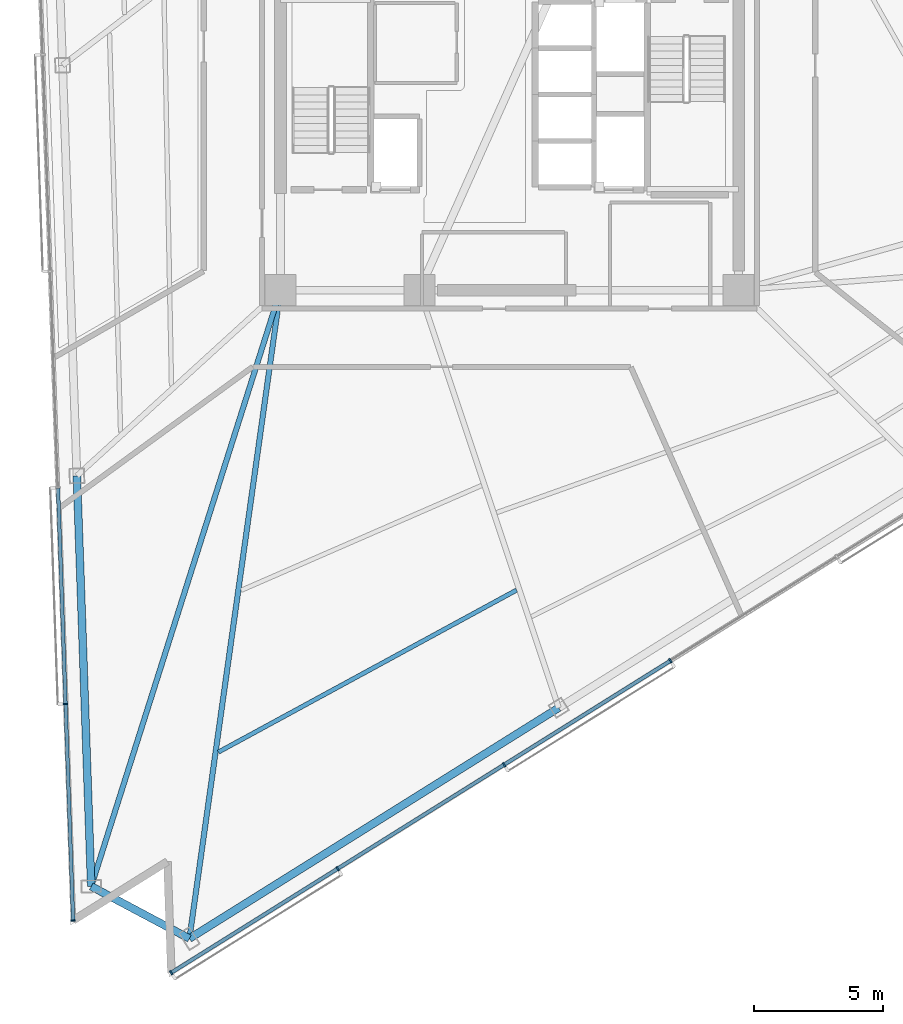
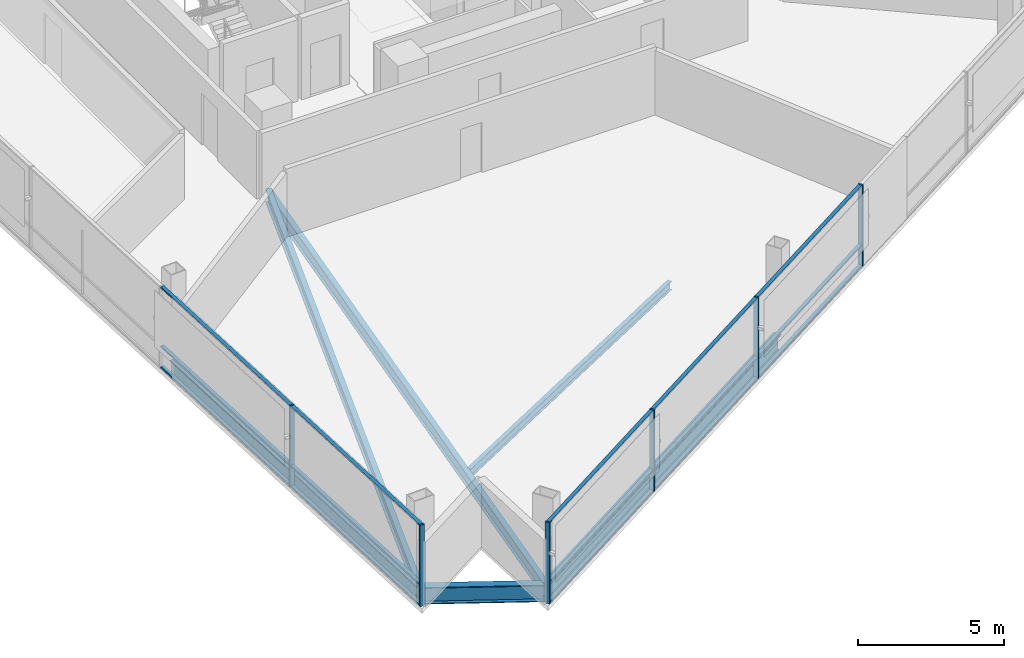
# One storey, part 2 of 18: 21 members, 6 beams, 2 elements without a shape of their own.
"""IFC4 building model written with IfcOpenShell, lengths in metres."""

from ifc_helpers import new_model, si_unit, direction, frame, origin, origin_2d, place, context, subcontext, project, spatial, rectangle, i_section, extrude, material, layer, layer_set, material_profile, profile_set, type_object, element, aggregate, save


model = new_model("IFC4")

# Units and contexts
model_context = context("Model", 3, precision=1e-05, world=origin(), true_north=direction((0.0, 1.0)))
body_context = subcontext(model_context, "Body", "Model", "MODEL_VIEW")
ifc_project = project(units=[si_unit("LENGTHUNIT", "METRE"), si_unit("AREAUNIT", "SQUARE_METRE"), si_unit("VOLUMEUNIT", "CUBIC_METRE"), si_unit("PLANEANGLEUNIT", "RADIAN"), si_unit("MASSUNIT", "GRAM", prefix="KILO")], contexts=[model_context])

# Site, building, storey
site_placement = place(None, origin())
site = spatial("IfcSite", under=ifc_project, at=site_placement, CompositionType="ELEMENT")
building_placement = place(site_placement, origin())
building = spatial("IfcBuilding", under=site, at=building_placement, Name="Tharavind Bronze Gate", CompositionType="ELEMENT")
storey_placement = place(building_placement, frame((0.0, 0.0, 153.199951171875)))
storey = spatial("IfcBuildingStorey", under=building, at=storey_placement, Name="L39", CompositionType="ELEMENT", Elevation=153.199951171875)

# Curtain wall, members
ifc_material_1 = material(Name="Anodised Bronze Aluminium", Category="aluminium")
ifc_layer = layer(ifc_material_1, 0.219970703125)
ifc_layer_set = layer_set([ifc_layer], Name="Anodised Bronze Aluminium")
curtain_wall_type = type_object("IfcCurtainWallType", Name="UNITISED CURTAIN WALL MID OFFICE", PredefinedType="USERDEFINED", material=ifc_layer_set)
curtain_wall_1_placement = place(storey_placement, origin())
curtain_wall_1 = element("IfcCurtainWall", 1, at=curtain_wall_1_placement, inside=storey, type_object=curtain_wall_type, Name="L39 unitised curtain wall mid office CW-L39-S1", ObjectType="UNITISED CURTAIN WALL", PredefinedType="USERDEFINED")
member_type_1 = type_object("IfcMemberType", Name="CURTAIN WALL BRONZE MULLION 65X180", PredefinedType="MULLION", material=ifc_material_1)
member_1_placement = place(storey_placement, frame((-17.25146484375, -23.6826171875, 0.0), z_axis=(0.0, 0.0, 1.0), x_axis=(0.034899496703, -0.999390827019, 0.0)))
member_1 = element("IfcMember", 2, at=member_1_placement, type_object=member_type_1, Name="CW-L39-S1 mullion 6", PredefinedType="MULLION", context=body_context, shape_type="SweptSolid", body=[
    extrude(rectangle(XDim=0.06494140625, YDim=0.179931640625, at=origin_2d()), origin(), (0.0, 0.0, 1.0), 3.409912109375),
])
member_2_placement = place(storey_placement, frame((-16.957763671875, -32.092041015625, 0.0), z_axis=(0.0, 0.0, 1.0), x_axis=(0.034899496703, -0.999390827019, 0.0)))
member_2 = element("IfcMember", 3, at=member_2_placement, type_object=member_type_1, Name="CW-L39-S1 mullion 7", PredefinedType="MULLION", context=body_context, shape_type="SweptSolid", body=[
    extrude(rectangle(XDim=0.06494140625, YDim=0.179931640625, at=origin_2d()), origin(), (0.0, 0.0, 1.0), 3.409912109375),
])

curtain_wall_2_placement = place(storey_placement, origin())
curtain_wall_2 = element("IfcCurtainWall", 4, at=curtain_wall_2_placement, inside=storey, type_object=curtain_wall_type, Name="L39 unitised curtain wall mid office CW-L39-S2", ObjectType="UNITISED CURTAIN WALL", PredefinedType="USERDEFINED")
member_3_placement = place(storey_placement, frame((-13.1435546875, -34.120361328125, 0.0), z_axis=(0.0, 0.0, 1.0), x_axis=(0.848048096156, 0.529919264233, 0.0)))
member_3 = element("IfcMember", 5, at=member_3_placement, type_object=member_type_1, Name="CW-L39-S2 mullion 1", PredefinedType="MULLION", context=body_context, shape_type="SweptSolid", body=[
    extrude(rectangle(XDim=0.06494140625, YDim=0.179931640625, at=origin_2d()), origin(), (0.0, 0.0, 1.0), 3.409912109375),
])
member_4_placement = place(storey_placement, frame((-6.677978515625, -30.080078125, 0.0), z_axis=(0.0, 0.0, 1.0), x_axis=(0.848048096156, 0.529919264233, 0.0)))
member_4 = element("IfcMember", 6, at=member_4_placement, type_object=member_type_1, Name="CW-L39-S2 mullion 2", PredefinedType="MULLION", context=body_context, shape_type="SweptSolid", body=[
    extrude(rectangle(XDim=0.06494140625, YDim=0.179931640625, at=origin_2d()), origin(), (0.0, 0.0, 1.0), 3.409912109375),
])
member_5_placement = place(storey_placement, frame((-0.212646484375, -26.040283203125, 0.0), z_axis=(0.0, 0.0, 1.0), x_axis=(0.848048096156, 0.529919264233, 0.0)))
member_5 = element("IfcMember", 7, at=member_5_placement, type_object=member_type_1, Name="CW-L39-S2 mullion 3", PredefinedType="MULLION", context=body_context, shape_type="SweptSolid", body=[
    extrude(rectangle(XDim=0.06494140625, YDim=0.179931640625, at=origin_2d()), origin(), (0.0, 0.0, 1.0), 3.409912109375),
])
member_6_placement = place(storey_placement, frame((6.252685546875, -22.0, 0.0), z_axis=(0.0, 0.0, 1.0), x_axis=(0.848048096156, 0.529919264233, 0.0)))
member_6 = element("IfcMember", 8, at=member_6_placement, type_object=member_type_1, Name="CW-L39-S2 mullion 4", PredefinedType="MULLION", context=body_context, shape_type="SweptSolid", body=[
    extrude(rectangle(XDim=0.06494140625, YDim=0.179931640625, at=origin_2d()), origin(), (0.0, 0.0, 1.0), 3.409912109375),
])

# Member
member_type_2 = type_object("IfcMemberType", Name="CURTAIN WALL BRONZE TRANSOM 65X140", PredefinedType="USERDEFINED", material=ifc_material_1)
member_7_placement = place(storey_placement, frame((-17.398193359375, -19.477783203125, 0.0), z_axis=(0.0, 0.0, 1.0), x_axis=(0.034899496703, -0.999390827019, 0.0)))
member_7 = element("IfcMember", 9, at=member_7_placement, type_object=member_type_2, Name="CW-L39-S1 transom TB5", ObjectType="TRANSOM", PredefinedType="USERDEFINED", context=body_context, shape_type="SweptSolid", body=[
    extrude(rectangle(XDim=8.361572265625, YDim=0.139892578125, at=origin_2d()), origin(), (0.0, 0.0, 1.0), 0.06494140625),
])

member_8_placement = place(storey_placement, frame((-17.398193359375, -19.477783203125, 0.86767578125), z_axis=(0.0, 0.0, 1.0), x_axis=(0.034899496703, -0.999390827019, 0.0)))
member_8 = element("IfcMember", 10, at=member_8_placement, type_object=member_type_2, Name="CW-L39-S1 transom TS5", ObjectType="TRANSOM", PredefinedType="USERDEFINED", context=body_context, shape_type="SweptSolid", body=[
    extrude(rectangle(XDim=8.361572265625, YDim=0.139892578125, at=origin_2d()), origin(), (0.0, 0.0, 1.0), 0.06494140625),
])

member_9_placement = place(storey_placement, frame((-17.398193359375, -19.477783203125, 3.344970703125), z_axis=(0.0, 0.0, 1.0), x_axis=(0.034899496703, -0.999390827019, 0.0)))
member_9 = element("IfcMember", 11, at=member_9_placement, type_object=member_type_2, Name="CW-L39-S1 transom TT5", ObjectType="TRANSOM", PredefinedType="USERDEFINED", context=body_context, shape_type="SweptSolid", body=[
    extrude(rectangle(XDim=8.361572265625, YDim=0.139892578125, at=origin_2d()), origin(), (0.0, 0.0, 1.0), 0.06494140625),
])

member_10_placement = place(storey_placement, frame((-17.1044921875, -27.887451171875, 0.0), z_axis=(0.0, 0.0, 1.0), x_axis=(0.034899496703, -0.999390827019, 0.0)))
member_10 = element("IfcMember", 12, at=member_10_placement, type_object=member_type_2, Name="CW-L39-S1 transom TB6", ObjectType="TRANSOM", PredefinedType="USERDEFINED", context=body_context, shape_type="SweptSolid", body=[
    extrude(rectangle(XDim=8.361572265625, YDim=0.139892578125, at=origin_2d()), origin(), (0.0, 0.0, 1.0), 0.06494140625),
])

member_11_placement = place(storey_placement, frame((-17.1044921875, -27.887451171875, 0.86767578125), z_axis=(0.0, 0.0, 1.0), x_axis=(0.034899496703, -0.999390827019, 0.0)))
member_11 = element("IfcMember", 13, at=member_11_placement, type_object=member_type_2, Name="CW-L39-S1 transom TS6", ObjectType="TRANSOM", PredefinedType="USERDEFINED", context=body_context, shape_type="SweptSolid", body=[
    extrude(rectangle(XDim=8.361572265625, YDim=0.139892578125, at=origin_2d()), origin(), (0.0, 0.0, 1.0), 0.06494140625),
])

member_12_placement = place(storey_placement, frame((-17.1044921875, -27.887451171875, 3.344970703125), z_axis=(0.0, 0.0, 1.0), x_axis=(0.034899496703, -0.999390827019, 0.0)))
member_12 = element("IfcMember", 14, at=member_12_placement, type_object=member_type_2, Name="CW-L39-S1 transom TT6", ObjectType="TRANSOM", PredefinedType="USERDEFINED", context=body_context, shape_type="SweptSolid", body=[
    extrude(rectangle(XDim=8.361572265625, YDim=0.139892578125, at=origin_2d()), origin(), (0.0, 0.0, 1.0), 0.06494140625),
])

aggregate(curtain_wall_1, [member_1, member_2, member_7, member_8, member_9, member_10, member_11, member_12])

member_13_placement = place(storey_placement, frame((-9.910888671875, -32.100341796875, 0.0), z_axis=(0.0, 0.0, 1.0), x_axis=(0.848048096156, 0.529919264233, 0.0)))
member_13 = element("IfcMember", 15, at=member_13_placement, type_object=member_type_2, Name="CW-L39-S2 transom TB1", ObjectType="TRANSOM", PredefinedType="USERDEFINED", context=body_context, shape_type="SweptSolid", body=[
    extrude(rectangle(XDim=7.57080078125, YDim=0.139892578125, at=origin_2d()), origin(), (0.0, 0.0, 1.0), 0.06494140625),
])

member_14_placement = place(storey_placement, frame((-9.910888671875, -32.100341796875, 0.86767578125), z_axis=(0.0, 0.0, 1.0), x_axis=(0.848048096156, 0.529919264233, 0.0)))
member_14 = element("IfcMember", 16, at=member_14_placement, type_object=member_type_2, Name="CW-L39-S2 transom TS1", ObjectType="TRANSOM", PredefinedType="USERDEFINED", context=body_context, shape_type="SweptSolid", body=[
    extrude(rectangle(XDim=7.57080078125, YDim=0.139892578125, at=origin_2d()), origin(), (0.0, 0.0, 1.0), 0.06494140625),
])

member_15_placement = place(storey_placement, frame((-9.910888671875, -32.100341796875, 3.344970703125), z_axis=(0.0, 0.0, 1.0), x_axis=(0.848048096156, 0.529919264233, 0.0)))
member_15 = element("IfcMember", 17, at=member_15_placement, type_object=member_type_2, Name="CW-L39-S2 transom TT1", ObjectType="TRANSOM", PredefinedType="USERDEFINED", context=body_context, shape_type="SweptSolid", body=[
    extrude(rectangle(XDim=7.57080078125, YDim=0.139892578125, at=origin_2d()), origin(), (0.0, 0.0, 1.0), 0.06494140625),
])

member_16_placement = place(storey_placement, frame((-3.4453125, -28.060302734375, 0.0), z_axis=(0.0, 0.0, 1.0), x_axis=(0.848048096156, 0.529919264233, 0.0)))
member_16 = element("IfcMember", 18, at=member_16_placement, type_object=member_type_2, Name="CW-L39-S2 transom TB2", ObjectType="TRANSOM", PredefinedType="USERDEFINED", context=body_context, shape_type="SweptSolid", body=[
    extrude(rectangle(XDim=7.57080078125, YDim=0.139892578125, at=origin_2d()), origin(), (0.0, 0.0, 1.0), 0.06494140625),
])

member_17_placement = place(storey_placement, frame((-3.4453125, -28.060302734375, 0.86767578125), z_axis=(0.0, 0.0, 1.0), x_axis=(0.848048096156, 0.529919264233, 0.0)))
member_17 = element("IfcMember", 19, at=member_17_placement, type_object=member_type_2, Name="CW-L39-S2 transom TS2", ObjectType="TRANSOM", PredefinedType="USERDEFINED", context=body_context, shape_type="SweptSolid", body=[
    extrude(rectangle(XDim=7.57080078125, YDim=0.139892578125, at=origin_2d()), origin(), (0.0, 0.0, 1.0), 0.06494140625),
])

member_18_placement = place(storey_placement, frame((-3.4453125, -28.060302734375, 3.344970703125), z_axis=(0.0, 0.0, 1.0), x_axis=(0.848048096156, 0.529919264233, 0.0)))
member_18 = element("IfcMember", 20, at=member_18_placement, type_object=member_type_2, Name="CW-L39-S2 transom TT2", ObjectType="TRANSOM", PredefinedType="USERDEFINED", context=body_context, shape_type="SweptSolid", body=[
    extrude(rectangle(XDim=7.57080078125, YDim=0.139892578125, at=origin_2d()), origin(), (0.0, 0.0, 1.0), 0.06494140625),
])

member_19_placement = place(storey_placement, frame((3.02001953125, -24.020263671875, 0.0), z_axis=(0.0, 0.0, 1.0), x_axis=(0.848048096156, 0.529919264233, 0.0)))
member_19 = element("IfcMember", 21, at=member_19_placement, type_object=member_type_2, Name="CW-L39-S2 transom TB3", ObjectType="TRANSOM", PredefinedType="USERDEFINED", context=body_context, shape_type="SweptSolid", body=[
    extrude(rectangle(XDim=7.57080078125, YDim=0.139892578125, at=origin_2d()), origin(), (0.0, 0.0, 1.0), 0.06494140625),
])

member_20_placement = place(storey_placement, frame((3.02001953125, -24.020263671875, 0.86767578125), z_axis=(0.0, 0.0, 1.0), x_axis=(0.848048096156, 0.529919264233, 0.0)))
member_20 = element("IfcMember", 22, at=member_20_placement, type_object=member_type_2, Name="CW-L39-S2 transom TS3", ObjectType="TRANSOM", PredefinedType="USERDEFINED", context=body_context, shape_type="SweptSolid", body=[
    extrude(rectangle(XDim=7.57080078125, YDim=0.139892578125, at=origin_2d()), origin(), (0.0, 0.0, 1.0), 0.06494140625),
])

member_21_placement = place(storey_placement, frame((3.02001953125, -24.020263671875, 3.344970703125), z_axis=(0.0, 0.0, 1.0), x_axis=(0.848048096156, 0.529919264233, 0.0)))
member_21 = element("IfcMember", 23, at=member_21_placement, type_object=member_type_2, Name="CW-L39-S2 transom TT3", ObjectType="TRANSOM", PredefinedType="USERDEFINED", context=body_context, shape_type="SweptSolid", body=[
    extrude(rectangle(XDim=7.57080078125, YDim=0.139892578125, at=origin_2d()), origin(), (0.0, 0.0, 1.0), 0.06494140625),
])

aggregate(curtain_wall_2, [member_3, member_4, member_5, member_6, member_13, member_14, member_15, member_16, member_17, member_18, member_19, member_20, member_21])

# Beams
ifc_material_2 = material(Name="Steel S355", Category="steel")
ifc_material_profile_1 = material_profile(ifc_material_2, i_section(OverallWidth=0.2099609375, OverallDepth=0.550048828125, WebThickness=0.010986328125, FlangeThickness=0.01708984375, at=origin_2d()), Name="IPE550")
ifc_profile_set_1 = profile_set([ifc_material_profile_1], Name="Steel S355")
beam_type_1 = type_object("IfcBeamType", Name="PRIMARY GIRDER IPE550", PredefinedType="USERDEFINED", material=ifc_profile_set_1)
beam_1_placement = place(storey_placement, frame((-16.253662109375, -30.767578125, -0.46484375), z_axis=(0.302541909504, 0.953136083146, 0.0), x_axis=(-0.953136083146, 0.302541909504, 0.0)))
element("IfcBeam", 24, at=beam_1_placement, inside=storey, type_object=beam_type_1, Name="L39 primary girder ipe550 BM-L39-RAD04", ObjectType="GIRDER", PredefinedType="USERDEFINED", context=body_context, shape_type="SweptSolid", body=[
    extrude(i_section(OverallWidth=0.2099609375, OverallDepth=0.550048828125, WebThickness=0.010986328125, FlangeThickness=0.01708984375, at=origin_2d()), origin(), (0.0, 0.0, 1.0), 24.306640625),
])
beam_2_placement = place(storey_placement, frame((-12.439208984375, -32.7958984375, -0.46484375), z_axis=(0.139106336947, 0.990277449517, 0.0), x_axis=(-0.990277449517, 0.139106336947, 0.0)))
element("IfcBeam", 25, at=beam_2_placement, inside=storey, type_object=beam_type_1, Name="L39 primary girder ipe550 BM-L39-RAD05", ObjectType="GIRDER", PredefinedType="USERDEFINED", context=body_context, shape_type="SweptSolid", body=[
    extrude(i_section(OverallWidth=0.2099609375, OverallDepth=0.550048828125, WebThickness=0.010986328125, FlangeThickness=0.01708984375, at=origin_2d()), origin(), (0.0, 0.0, 1.0), 25.443115234375),
])
ifc_material_profile_2 = material_profile(ifc_material_2, i_section(OverallWidth=0.300048828125, OverallDepth=0.699951171875, WebThickness=0.01708984375, FlangeThickness=0.031982421875, at=origin_2d()), Name="HE700B")
ifc_profile_set_2 = profile_set([ifc_material_profile_2], Name="Steel S355")
beam_type_2 = type_object("IfcBeamType", Name="RING GIRDER HE700B", PredefinedType="USERDEFINED", material=ifc_profile_set_2)
beam_3_placement = place(storey_placement, frame((-16.810791015625, -14.814208984375, -0.5400390625), z_axis=(0.034901059648, -0.999390772439, 0.0), x_axis=(0.999390772439, 0.034901059648, 0.0)))
element("IfcBeam", 26, at=beam_3_placement, inside=storey, type_object=beam_type_2, Name="L39 ring girder he700b BM-L39-PRG03", ObjectType="GIRDER", PredefinedType="USERDEFINED", context=body_context, shape_type="SweptSolid", body=[
    extrude(i_section(OverallWidth=0.300048828125, OverallDepth=0.699951171875, WebThickness=0.01708984375, FlangeThickness=0.031982421875, at=origin_2d()), origin(), (0.0, 0.0, 1.0), 15.963134765625),
])
beam_4_placement = place(storey_placement, frame((-16.253662109375, -30.767578125, -0.5400390625), z_axis=(0.882934197132, -0.469496755618, 0.0), x_axis=(0.469496755618, 0.882934197132, 0.0)))
element("IfcBeam", 27, at=beam_4_placement, inside=storey, type_object=beam_type_2, Name="L39 ring girder he700b BM-L39-PRG04", ObjectType="GIRDER", PredefinedType="USERDEFINED", context=body_context, shape_type="SweptSolid", body=[
    extrude(i_section(OverallWidth=0.300048828125, OverallDepth=0.699951171875, WebThickness=0.01708984375, FlangeThickness=0.031982421875, at=origin_2d()), origin(), (0.0, 0.0, 1.0), 4.3203125),
])
beam_5_placement = place(storey_placement, frame((-12.439208984375, -32.7958984375, -0.5400390625), z_axis=(0.84804368744, 0.529926319589, 0.0), x_axis=(-0.529926319589, 0.84804368744, 0.0)))
element("IfcBeam", 28, at=beam_5_placement, inside=storey, type_object=beam_type_2, Name="L39 ring girder he700b BM-L39-PRG05", ObjectType="GIRDER", PredefinedType="USERDEFINED", context=body_context, shape_type="SweptSolid", body=[
    extrude(i_section(OverallWidth=0.300048828125, OverallDepth=0.699951171875, WebThickness=0.01708984375, FlangeThickness=0.031982421875, at=origin_2d()), origin(), (0.0, 0.0, 1.0), 16.923095703125),
])
ifc_material_profile_3 = material_profile(ifc_material_2, i_section(OverallWidth=0.169921875, OverallDepth=0.360107421875, WebThickness=0.008056640625, FlangeThickness=0.0126953125, at=origin_2d()), Name="IPE360")
ifc_profile_set_3 = profile_set([ifc_material_profile_3], Name="Steel S355")
beam_type_3 = type_object("IfcBeamType", Name="SECONDARY FLOOR JOIST IPE360", PredefinedType="JOIST", material=ifc_profile_set_3)
beam_6_placement = place(storey_placement, frame((-11.312255859375, -25.55078125, -0.369873046875), z_axis=(0.878664364141, 0.477439980718, 0.0), x_axis=(-0.477439980718, 0.878664364141, 0.0)))
element("IfcBeam", 29, at=beam_6_placement, inside=storey, type_object=beam_type_3, Name="L39 secondary floor joist ipe360 BM-L39-JSTB05", PredefinedType="JOIST", context=body_context, shape_type="SweptSolid", body=[
    extrude(i_section(OverallWidth=0.169921875, OverallDepth=0.360107421875, WebThickness=0.008056640625, FlangeThickness=0.0126953125, at=origin_2d()), origin(), (0.0, 0.0, 1.0), 13.184814453125),
])

save(model, "model.ifc")
